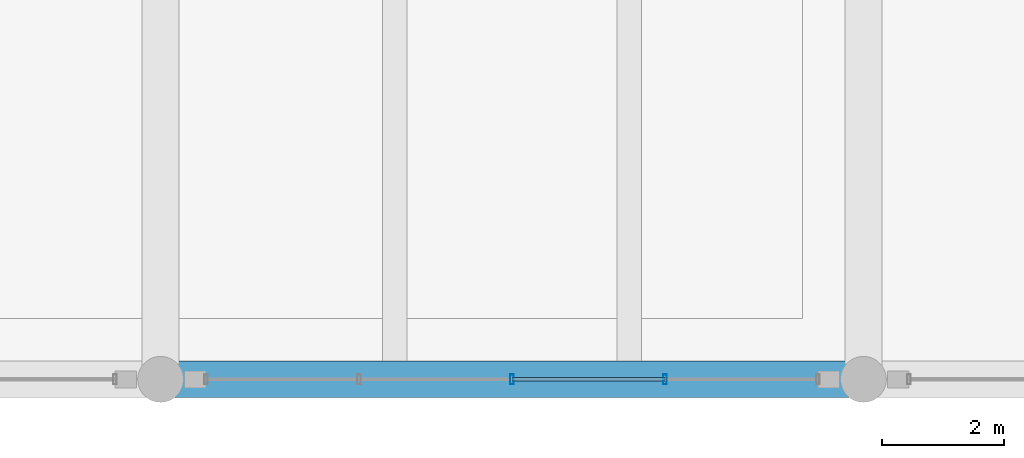
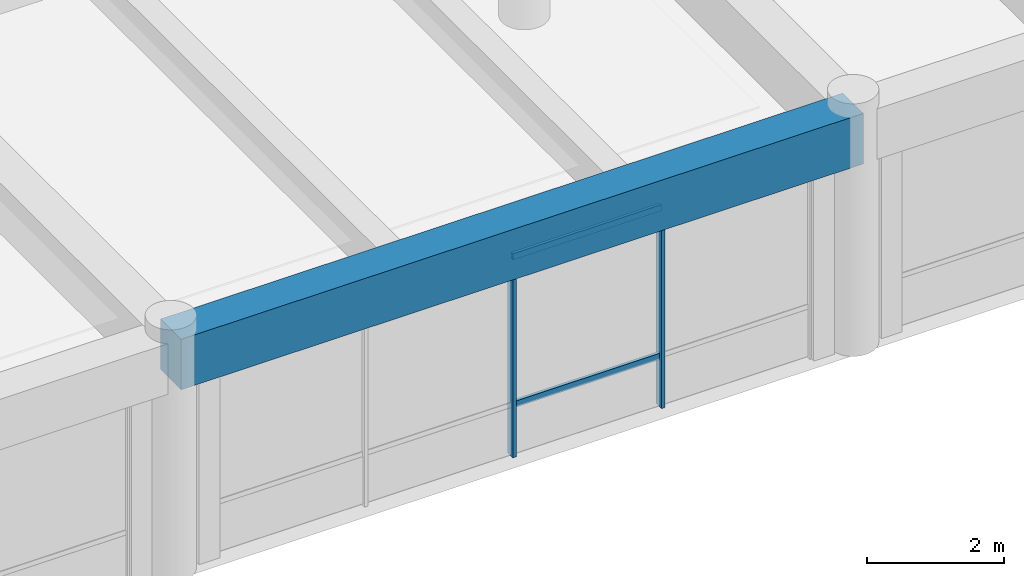
# One storey, part 40 of 154: 4 members, 1 beam, 1 element without a shape of its own.
"""IFC4 building model written with IfcOpenShell, lengths in metres."""

import ifcopenshell
import ifcopenshell.guid

model = None  # the IFC model being written
_history = None  # IfcOwnerHistory: only IFC2X3 demands one
_inside = {}  # id of a spatial element -> (the spatial element, [elements in it])
_under = {}  # id of a project, library or spatial element -> (it, [spatial elements below it])
_declared = {}  # id of a project -> (the project, [libraries it declares])
_typed = {}  # id of a type object -> (the type object, [elements of that type])
_made_of = {}  # id of a material, layer set ... -> (it, [elements and type objects made of it])


def new_model(schema):
    """Start an empty IFC model of exactly this schema.

    Asked for "IFC4X3", IfcOpenShell would pick the latest addendum, in which some entities
    have other attributes; the version numbers below select the first issue.
    IFC2X3 requires an IfcOwnerHistory on every rooted entity: one is made here for all.
    """
    global model, _history
    if schema == "IFC4X3":
        model = ifcopenshell.file(schema_version=(4, 3, 0, 0))
    else:
        model = ifcopenshell.file(schema=schema)
    _inside.clear()
    _under.clear()
    _declared.clear()
    _typed.clear()
    _made_of.clear()
    _history = None
    if model.schema == "IFC2X3":
        org = make("IfcOrganization", Name="unknown")
        user = make(
            "IfcPersonAndOrganization",
            ThePerson=make("IfcPerson", FamilyName="unknown"),
            TheOrganization=org,
        )
        app = make(
            "IfcApplication",
            ApplicationDeveloper=org,
            Version="unknown",
            ApplicationFullName="unknown",
            ApplicationIdentifier="unknown",
        )
        _history = make(
            "IfcOwnerHistory",
            OwningUser=user,
            OwningApplication=app,
            ChangeAction="ADDED",
            CreationDate=0,
        )
    return model


def make(cls, **values):
    """One entity of the class cls with the attributes given. An attribute that is None is left unset."""
    return model.create_entity(
        cls, **{name: value for name, value in values.items() if value is not None}
    )


def rooted(cls, **values):
    """An entity with a GlobalId (a new one), such as an element, a storey or a relation."""
    return make(cls, GlobalId=ifcopenshell.guid.new(), OwnerHistory=_history, **values)


def si_unit(unit_type, name, prefix=None):
    """IfcSIUnit, for example si_unit("LENGTHUNIT", "METRE", prefix="MILLI")."""
    return make("IfcSIUnit", UnitType=unit_type, Prefix=prefix, Name=name)


def assignment(units):
    """IfcUnitAssignment: the units of a project."""
    return None if units is None else make("IfcUnitAssignment", Units=units)


def point(xyz):
    """IfcCartesianPoint."""
    return None if xyz is None else make("IfcCartesianPoint", Coordinates=xyz)


def direction(xyz):
    """IfcDirection."""
    return None if xyz is None else make("IfcDirection", DirectionRatios=xyz)


def frame(location, z_axis=None, x_axis=None):
    """IfcAxis2Placement3D, a coordinate frame: its origin and axes. An axis left out is left unset."""
    return make(
        "IfcAxis2Placement3D",
        Location=point(location),
        Axis=direction(z_axis),
        RefDirection=direction(x_axis),
    )


def frame_2d(location, x_axis=None):
    """IfcAxis2Placement2D, a coordinate frame in the plane: its origin and x axis."""
    return make(
        "IfcAxis2Placement2D", Location=point(location), RefDirection=direction(x_axis)
    )


def origin():
    """The frame at (0, 0, 0) with its axes left unset."""
    return frame((0.0, 0.0, 0.0))


def origin_2d():
    """The frame at (0, 0) in the plane with its x axis left unset."""
    return frame_2d((0.0, 0.0))


def place(relative_to, where):
    """IfcLocalPlacement: puts the frame where relative to a parent placement (None: the world)."""
    return make(
        "IfcLocalPlacement", PlacementRelTo=relative_to, RelativePlacement=where
    )


def context(
    kind, dimensions, precision=None, world=None, true_north=None, identifier=None
):
    """IfcGeometricRepresentationContext, for example the 3D "Model" context."""
    return make(
        "IfcGeometricRepresentationContext",
        ContextIdentifier=identifier,
        ContextType=kind,
        CoordinateSpaceDimension=dimensions,
        Precision=precision,
        WorldCoordinateSystem=world,
        TrueNorth=true_north,
    )


def subcontext(parent, identifier, kind, view, scale=None):
    """IfcGeometricRepresentationSubContext, for example "Body" below "Model"."""
    return make(
        "IfcGeometricRepresentationSubContext",
        ContextIdentifier=identifier,
        ContextType=kind,
        ParentContext=parent,
        TargetScale=scale,
        TargetView=view,
    )


def project(units=None, contexts=None):
    """IfcProject with its units and contexts."""
    return rooted(
        "IfcProject",
        Name="project",
        RepresentationContexts=contexts,
        UnitsInContext=assignment(units),
    )


def spatial(cls, under=None, at=None, **own):
    """A site, building, storey or space (cls), placed at a placement, below another one or the project."""
    s = rooted(cls, ObjectPlacement=at, **own)
    if under is not None:
        _under.setdefault(under.id(), (under, []))[1].append(s)
    return s


def profile(cls, at=None, kind="AREA", **sizes):
    """A parametric profile (cls). Its sizes go by their IFC names, for example OverallWidth=200.0."""
    return make(cls, ProfileType=kind, Position=at, **sizes)


def rectangle(**sizes):
    """IfcRectangleProfileDef."""
    return profile("IfcRectangleProfileDef", **sizes)


def hollow_rectangle(**sizes):
    """IfcRectangleHollowProfileDef."""
    return profile("IfcRectangleHollowProfileDef", **sizes)


def extrude(swept, where, along, depth):
    """IfcExtrudedAreaSolid: the profile swept, set in the frame where, extruded along a direction by depth."""
    return make(
        "IfcExtrudedAreaSolid",
        SweptArea=swept,
        Position=where,
        ExtrudedDirection=direction(along),
        Depth=depth,
    )


def shape(context_of_items, identifier, shape_type, items):
    """IfcShapeRepresentation: the items that make up one representation, for example the "Body"."""
    return make(
        "IfcShapeRepresentation",
        ContextOfItems=context_of_items,
        RepresentationIdentifier=identifier,
        RepresentationType=shape_type,
        Items=items,
    )


def material(Name=None, Category=None):
    """IfcMaterial."""
    return make("IfcMaterial", Name=Name, Category=Category)


def material_profile(
    of_material, cross_section, Name=None, Category=None, Priority=None
):
    """IfcMaterialProfile: a cross section and its material."""
    return make(
        "IfcMaterialProfile",
        Name=Name,
        Material=of_material,
        Profile=cross_section,
        Priority=Priority,
        Category=Category,
    )


def profile_set(profiles, Name=None, composite=None):
    """IfcMaterialProfileSet."""
    return make(
        "IfcMaterialProfileSet",
        Name=Name,
        MaterialProfiles=profiles,
        CompositeProfile=composite,
    )


def made_of(thing, what):
    """Note that an element or type object is made of a material, layer set ...; save() writes the relation."""
    if what is not None:
        _made_of.setdefault(what.id(), (what, []))[1].append(thing)
    return thing


def type_object(cls, material=None, **own):
    """A type object (cls), such as IfcWallType, which elements share."""
    return made_of(rooted(cls, **own), material)


def element(
    cls,
    number,
    at=None,
    inside=None,
    cuts=None,
    type_object=None,
    material=None,
    context=None,
    identifier="Body",
    shape_type=None,
    held_by="IfcProductDefinitionShape",
    body=None,
    shapes=None,
    **own,
):
    """One element of the class cls, such as IfcWall. Its Tag is "e" and its number.

    at: its placement. inside: the storey or other place that contains it. cuts: it is an
    opening in that element (IfcRelVoidsElement). A single representation is given by context,
    identifier, shape_type and body (its items); several are given by shapes. held_by: the class
    of the entity that holds the representations. save() writes the other relations.
    """
    e = rooted(cls, Tag="e%d" % number, ObjectPlacement=at, **own)
    if body is not None:
        shapes = [shape(context, identifier, shape_type, body)]
    if shapes is not None:
        e.Representation = make(held_by, Representations=shapes)
    if inside is not None:
        _inside.setdefault(inside.id(), (inside, []))[1].append(e)
    if cuts is not None:
        rooted(
            "IfcRelVoidsElement", RelatingBuildingElement=cuts, RelatedOpeningElement=e
        )
    if type_object is not None:
        _typed.setdefault(type_object.id(), (type_object, []))[1].append(e)
    return made_of(e, material)


def aggregate(whole, parts):
    """IfcRelAggregates: a whole, such as a stair, and the parts it consists of."""
    return rooted("IfcRelAggregates", RelatingObject=whole, RelatedObjects=parts)


def save(model, path):
    """Write the relations noted so far, then the file.

    IfcRelAggregates (storeys below a building ...), IfcRelContainedInSpatialStructure (elements
    in a storey), IfcRelDefinesByType, IfcRelAssociatesMaterial and IfcRelDeclares: one each for
    every whole, place, type object, material and project.
    """
    for whole, parts in _under.values():
        aggregate(whole, parts)
    for where, things in _inside.values():
        rooted(
            "IfcRelContainedInSpatialStructure",
            RelatedElements=things,
            RelatingStructure=where,
        )
    for kind, things in _typed.values():
        rooted("IfcRelDefinesByType", RelatedObjects=things, RelatingType=kind)
    for what, things in _made_of.values():
        rooted("IfcRelAssociatesMaterial", RelatedObjects=things, RelatingMaterial=what)
    for by, libraries in _declared.values():
        rooted("IfcRelDeclares", RelatingContext=by, RelatedDefinitions=libraries)
    model.write(path)


model = new_model("IFC4")

# Units and contexts
model_context = context("Model", 3, precision=1e-05, world=origin(), true_north=direction((0.0, 1.0)))
body_context = subcontext(model_context, "Body", "Model", "MODEL_VIEW")
ifc_project = project(units=[si_unit("LENGTHUNIT", "METRE"), si_unit("AREAUNIT", "SQUARE_METRE"), si_unit("VOLUMEUNIT", "CUBIC_METRE"), si_unit("PLANEANGLEUNIT", "RADIAN"), si_unit("MASSUNIT", "GRAM", prefix="KILO")], contexts=[model_context])

# Site, building, storey
site_placement = place(None, origin())
site = spatial("IfcSite", under=ifc_project, at=site_placement, CompositionType="ELEMENT")
building_placement = place(site_placement, origin())
building = spatial("IfcBuilding", under=site, at=building_placement, Name="Ologun Quay Terminus", CompositionType="ELEMENT")
storey_placement = place(building_placement, frame((0.0, 0.0, 13.800048828125)))
storey = spatial("IfcBuildingStorey", under=building, at=storey_placement, Name="L03", CompositionType="ELEMENT", Elevation=13.800048828125)

# Curtain wall, members
ifc_material_1 = material(Name="Aluminium 6063-T6", Category="aluminium")
curtain_wall_type = type_object("IfcCurtainWallType", Name="South Pavilion Reading Hall Curtain Wall 10700x4150", PredefinedType="USERDEFINED", material=ifc_material_1)
curtain_wall_placement = place(storey_placement, origin())
curtain_wall = element("IfcCurtainWall", 1, at=curtain_wall_placement, inside=storey, type_object=curtain_wall_type, Name="CW-06 Curtain Wall CW-L03-038", ObjectType="UNITISED CURTAIN WALL", PredefinedType="USERDEFINED")
ifc_material_2 = material(Name="Aluminium 6063-T6", Category="aluminium")
ifc_material_profile_1 = material_profile(ifc_material_2, hollow_rectangle(XDim=0.06005859375, YDim=0.159912109375, WallThickness=0.00390625, at=origin_2d()), Name="ALU 160x60x4")
ifc_profile_set_1 = profile_set([ifc_material_profile_1], Name="Aluminium 6063-T6")
member_type_1 = type_object("IfcMemberType", Name="Curtain Wall Standard Mullion 160x65", PredefinedType="MULLION", material=ifc_profile_set_1)
member_1_placement = place(storey_placement, frame((109.25, 8.0, 0.0), z_axis=(0.0, 0.0, 1.0), x_axis=(1.0, 0.0, 0.0)))
member_1 = element("IfcMember", 2, at=member_1_placement, type_object=member_type_1, Name="CW-L03-038 Mullion 3", PredefinedType="MULLION", context=body_context, shape_type="SweptSolid", body=[
    extrude(hollow_rectangle(XDim=0.06005859375, YDim=0.159912109375, WallThickness=0.00390625, at=origin_2d()), origin(), (0.0, 0.0, 1.0), 4.239990234375),
])
member_2_placement = place(storey_placement, frame((111.75244140625, 8.0, 0.0), z_axis=(0.0, 0.0, 1.0), x_axis=(1.0, 0.0, 0.0)))
member_2 = element("IfcMember", 3, at=member_2_placement, type_object=member_type_1, Name="CW-L03-038 Mullion 4", PredefinedType="MULLION", context=body_context, shape_type="SweptSolid", body=[
    extrude(hollow_rectangle(XDim=0.06005859375, YDim=0.159912109375, WallThickness=0.00390625, at=origin_2d()), origin(), (0.0, 0.0, 1.0), 4.239990234375),
])
ifc_material_3 = material(Name="Aluminium 6063-T6", Category="aluminium")
ifc_material_profile_2 = material_profile(ifc_material_3, hollow_rectangle(XDim=0.054931640625, YDim=0.110107421875, WallThickness=0.00390625, at=origin_2d()), Name="ALU 110x55x4")
ifc_profile_set_2 = profile_set([ifc_material_profile_2], Name="Aluminium 6063-T6")
member_type_2 = type_object("IfcMemberType", Name="Curtain Wall Standard Transom 110x55", PredefinedType="USERDEFINED", material=ifc_profile_set_2)
member_3_placement = place(storey_placement, frame((109.25, 8.0, 0.89990234375), z_axis=(1.0, 0.0, 0.0), x_axis=(0.0, 1.0, 0.0)))
member_3 = element("IfcMember", 4, at=member_3_placement, type_object=member_type_2, Name="CW-L03-038 Transom B3-1", ObjectType="TRANSOM", PredefinedType="USERDEFINED", context=body_context, shape_type="SweptSolid", body=[
    extrude(hollow_rectangle(XDim=0.054931640625, YDim=0.110107421875, WallThickness=0.00390625, at=origin_2d()), origin(), (0.0, 0.0, 1.0), 2.50244140625),
])
member_4_placement = place(storey_placement, frame((109.25, 8.0, 3.5400390625), z_axis=(1.0, 0.0, 0.0), x_axis=(0.0, 1.0, 0.0)))
member_4 = element("IfcMember", 5, at=member_4_placement, type_object=member_type_2, Name="CW-L03-038 Transom B3-2", ObjectType="TRANSOM", PredefinedType="USERDEFINED", context=body_context, shape_type="SweptSolid", body=[
    extrude(hollow_rectangle(XDim=0.054931640625, YDim=0.110107421875, WallThickness=0.00390625, at=origin_2d()), origin(), (0.0, 0.0, 1.0), 2.50244140625),
])
aggregate(curtain_wall, [member_1, member_2, member_3, member_4])

# Beam
ifc_material_4 = material(Name="Concrete C40/50", Category="concrete")
ifc_material_profile_3 = material_profile(ifc_material_4, rectangle(XDim=0.60009765625, YDim=0.89990234375, at=origin_2d()), Name="RC 600x900")
ifc_profile_set_3 = profile_set([ifc_material_profile_3], Name="Concrete C40/50")
beam_type = type_object("IfcBeamType", Name="Station Frame Girder 600x900", PredefinedType="BEAM", material=ifc_profile_set_3)
beam_placement = place(storey_placement, frame((103.5, 8.0, 3.800048828125), z_axis=(1.0, 0.0, 0.0), x_axis=(0.0, 1.0, 0.0)))
element("IfcBeam", 6, at=beam_placement, inside=storey, type_object=beam_type, Name="B3 Beam 10/B L03", PredefinedType="BEAM", context=body_context, shape_type="SweptSolid", body=[
    extrude(rectangle(XDim=0.60009765625, YDim=0.89990234375, at=origin_2d()), origin(), (0.0, 0.0, 1.0), 11.5),
])

save(model, "model.ifc")
